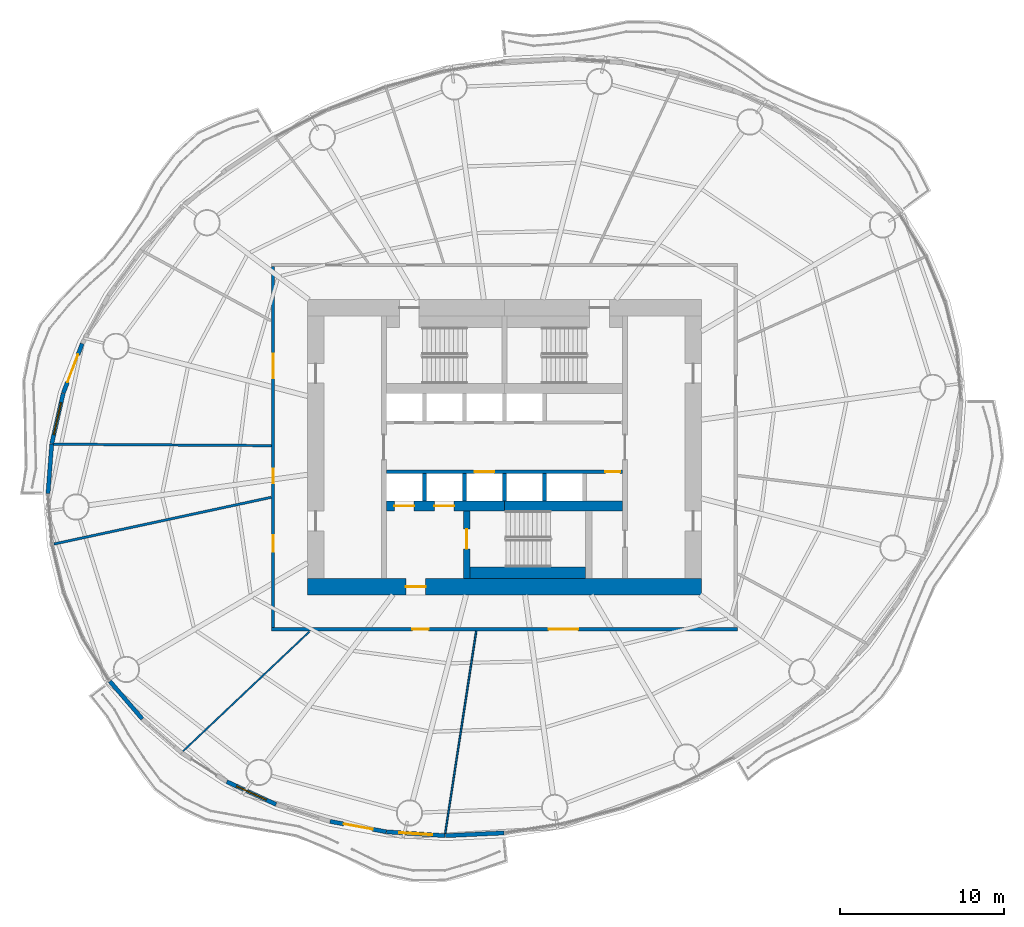
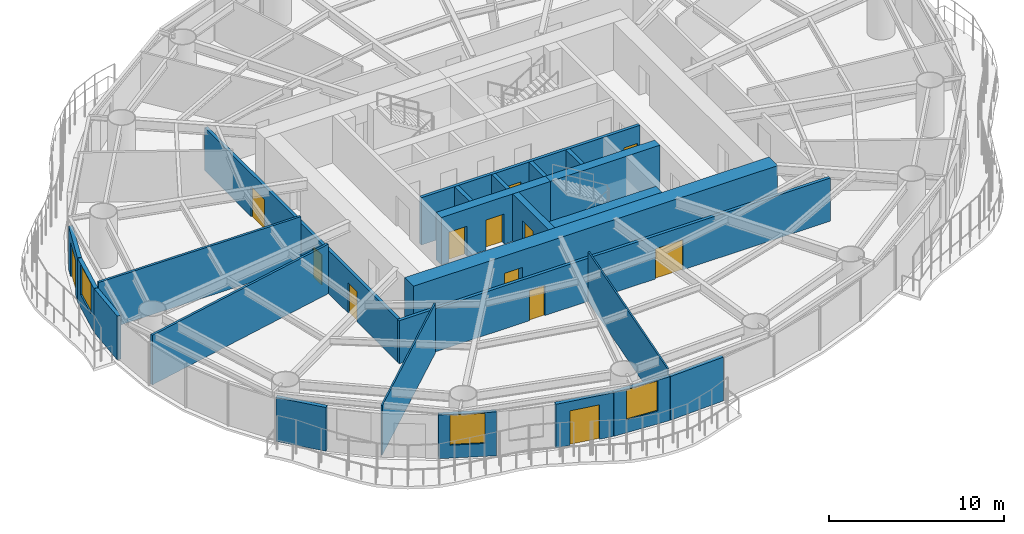
# One storey, part 7 of 14: 24 walls, 13 doors, 3 windows, 16 openings.
"""IFC4 building model written with IfcOpenShell, lengths in metres."""

import ifcopenshell
import ifcopenshell.guid

model = None  # the IFC model being written
_history = None  # IfcOwnerHistory: only IFC2X3 demands one
_inside = {}  # id of a spatial element -> (the spatial element, [elements in it])
_under = {}  # id of a project, library or spatial element -> (it, [spatial elements below it])
_declared = {}  # id of a project -> (the project, [libraries it declares])
_typed = {}  # id of a type object -> (the type object, [elements of that type])
_made_of = {}  # id of a material, layer set ... -> (it, [elements and type objects made of it])


def new_model(schema):
    """Start an empty IFC model of exactly this schema.

    Asked for "IFC4X3", IfcOpenShell would pick the latest addendum, in which some entities
    have other attributes; the version numbers below select the first issue.
    IFC2X3 requires an IfcOwnerHistory on every rooted entity: one is made here for all.
    """
    global model, _history
    if schema == "IFC4X3":
        model = ifcopenshell.file(schema_version=(4, 3, 0, 0))
    else:
        model = ifcopenshell.file(schema=schema)
    _inside.clear()
    _under.clear()
    _declared.clear()
    _typed.clear()
    _made_of.clear()
    _history = None
    if model.schema == "IFC2X3":
        org = make("IfcOrganization", Name="unknown")
        user = make(
            "IfcPersonAndOrganization",
            ThePerson=make("IfcPerson", FamilyName="unknown"),
            TheOrganization=org,
        )
        app = make(
            "IfcApplication",
            ApplicationDeveloper=org,
            Version="unknown",
            ApplicationFullName="unknown",
            ApplicationIdentifier="unknown",
        )
        _history = make(
            "IfcOwnerHistory",
            OwningUser=user,
            OwningApplication=app,
            ChangeAction="ADDED",
            CreationDate=0,
        )
    return model


def make(cls, **values):
    """One entity of the class cls with the attributes given. An attribute that is None is left unset."""
    return model.create_entity(
        cls, **{name: value for name, value in values.items() if value is not None}
    )


def rooted(cls, **values):
    """An entity with a GlobalId (a new one), such as an element, a storey or a relation."""
    return make(cls, GlobalId=ifcopenshell.guid.new(), OwnerHistory=_history, **values)


def si_unit(unit_type, name, prefix=None):
    """IfcSIUnit, for example si_unit("LENGTHUNIT", "METRE", prefix="MILLI")."""
    return make("IfcSIUnit", UnitType=unit_type, Prefix=prefix, Name=name)


def assignment(units):
    """IfcUnitAssignment: the units of a project."""
    return None if units is None else make("IfcUnitAssignment", Units=units)


def point(xyz):
    """IfcCartesianPoint."""
    return None if xyz is None else make("IfcCartesianPoint", Coordinates=xyz)


def direction(xyz):
    """IfcDirection."""
    return None if xyz is None else make("IfcDirection", DirectionRatios=xyz)


def frame(location, z_axis=None, x_axis=None):
    """IfcAxis2Placement3D, a coordinate frame: its origin and axes. An axis left out is left unset."""
    return make(
        "IfcAxis2Placement3D",
        Location=point(location),
        Axis=direction(z_axis),
        RefDirection=direction(x_axis),
    )


def frame_2d(location, x_axis=None):
    """IfcAxis2Placement2D, a coordinate frame in the plane: its origin and x axis."""
    return make(
        "IfcAxis2Placement2D", Location=point(location), RefDirection=direction(x_axis)
    )


def origin():
    """The frame at (0, 0, 0) with its axes left unset."""
    return frame((0.0, 0.0, 0.0))


def place(relative_to, where):
    """IfcLocalPlacement: puts the frame where relative to a parent placement (None: the world)."""
    return make(
        "IfcLocalPlacement", PlacementRelTo=relative_to, RelativePlacement=where
    )


def context(
    kind, dimensions, precision=None, world=None, true_north=None, identifier=None
):
    """IfcGeometricRepresentationContext, for example the 3D "Model" context."""
    return make(
        "IfcGeometricRepresentationContext",
        ContextIdentifier=identifier,
        ContextType=kind,
        CoordinateSpaceDimension=dimensions,
        Precision=precision,
        WorldCoordinateSystem=world,
        TrueNorth=true_north,
    )


def subcontext(parent, identifier, kind, view, scale=None):
    """IfcGeometricRepresentationSubContext, for example "Body" below "Model"."""
    return make(
        "IfcGeometricRepresentationSubContext",
        ContextIdentifier=identifier,
        ContextType=kind,
        ParentContext=parent,
        TargetScale=scale,
        TargetView=view,
    )


def project(units=None, contexts=None):
    """IfcProject with its units and contexts."""
    return rooted(
        "IfcProject",
        Name="project",
        RepresentationContexts=contexts,
        UnitsInContext=assignment(units),
    )


def spatial(cls, under=None, at=None, **own):
    """A site, building, storey or space (cls), placed at a placement, below another one or the project."""
    s = rooted(cls, ObjectPlacement=at, **own)
    if under is not None:
        _under.setdefault(under.id(), (under, []))[1].append(s)
    return s


def profile(cls, at=None, kind="AREA", **sizes):
    """A parametric profile (cls). Its sizes go by their IFC names, for example OverallWidth=200.0."""
    return make(cls, ProfileType=kind, Position=at, **sizes)


def rectangle(**sizes):
    """IfcRectangleProfileDef."""
    return profile("IfcRectangleProfileDef", **sizes)


def extrude(swept, where, along, depth):
    """IfcExtrudedAreaSolid: the profile swept, set in the frame where, extruded along a direction by depth."""
    return make(
        "IfcExtrudedAreaSolid",
        SweptArea=swept,
        Position=where,
        ExtrudedDirection=direction(along),
        Depth=depth,
    )


def shape(context_of_items, identifier, shape_type, items):
    """IfcShapeRepresentation: the items that make up one representation, for example the "Body"."""
    return make(
        "IfcShapeRepresentation",
        ContextOfItems=context_of_items,
        RepresentationIdentifier=identifier,
        RepresentationType=shape_type,
        Items=items,
    )


def material(Name=None, Category=None):
    """IfcMaterial."""
    return make("IfcMaterial", Name=Name, Category=Category)


def layer(
    of_material, thickness, ventilated=None, Name=None, Category=None, Priority=None
):
    """IfcMaterialLayer: one layer of a wall or slab, of a material (None: an air gap)."""
    return make(
        "IfcMaterialLayer",
        Material=of_material,
        LayerThickness=thickness,
        IsVentilated=ventilated,
        Name=Name,
        Category=Category,
        Priority=Priority,
    )


def layer_set(layers, Name=None):
    """IfcMaterialLayerSet."""
    return make("IfcMaterialLayerSet", MaterialLayers=layers, LayerSetName=Name)


def made_of(thing, what):
    """Note that an element or type object is made of a material, layer set ...; save() writes the relation."""
    if what is not None:
        _made_of.setdefault(what.id(), (what, []))[1].append(thing)
    return thing


def type_object(cls, material=None, **own):
    """A type object (cls), such as IfcWallType, which elements share."""
    return made_of(rooted(cls, **own), material)


def element(
    cls,
    number,
    at=None,
    inside=None,
    cuts=None,
    type_object=None,
    material=None,
    context=None,
    identifier="Body",
    shape_type=None,
    held_by="IfcProductDefinitionShape",
    body=None,
    shapes=None,
    **own,
):
    """One element of the class cls, such as IfcWall. Its Tag is "e" and its number.

    at: its placement. inside: the storey or other place that contains it. cuts: it is an
    opening in that element (IfcRelVoidsElement). A single representation is given by context,
    identifier, shape_type and body (its items); several are given by shapes. held_by: the class
    of the entity that holds the representations. save() writes the other relations.
    """
    e = rooted(cls, Tag="e%d" % number, ObjectPlacement=at, **own)
    if body is not None:
        shapes = [shape(context, identifier, shape_type, body)]
    if shapes is not None:
        e.Representation = make(held_by, Representations=shapes)
    if inside is not None:
        _inside.setdefault(inside.id(), (inside, []))[1].append(e)
    if cuts is not None:
        rooted(
            "IfcRelVoidsElement", RelatingBuildingElement=cuts, RelatedOpeningElement=e
        )
    if type_object is not None:
        _typed.setdefault(type_object.id(), (type_object, []))[1].append(e)
    return made_of(e, material)


def fill(opening, filler):
    """IfcRelFillsElement: the door or window that sits in an opening."""
    return rooted(
        "IfcRelFillsElement",
        RelatingOpeningElement=opening,
        RelatedBuildingElement=filler,
    )


def aggregate(whole, parts):
    """IfcRelAggregates: a whole, such as a stair, and the parts it consists of."""
    return rooted("IfcRelAggregates", RelatingObject=whole, RelatedObjects=parts)


def save(model, path):
    """Write the relations noted so far, then the file.

    IfcRelAggregates (storeys below a building ...), IfcRelContainedInSpatialStructure (elements
    in a storey), IfcRelDefinesByType, IfcRelAssociatesMaterial and IfcRelDeclares: one each for
    every whole, place, type object, material and project.
    """
    for whole, parts in _under.values():
        aggregate(whole, parts)
    for where, things in _inside.values():
        rooted(
            "IfcRelContainedInSpatialStructure",
            RelatedElements=things,
            RelatingStructure=where,
        )
    for kind, things in _typed.values():
        rooted("IfcRelDefinesByType", RelatedObjects=things, RelatingType=kind)
    for what, things in _made_of.values():
        rooted("IfcRelAssociatesMaterial", RelatedObjects=things, RelatingMaterial=what)
    for by, libraries in _declared.values():
        rooted("IfcRelDeclares", RelatingContext=by, RelatedDefinitions=libraries)
    model.write(path)


model = new_model("IFC4")

# Units and contexts
model_context = context("Model", 3, precision=1e-05, world=origin(), true_north=direction((0.0, 1.0)))
body_context = subcontext(model_context, "Body", "Model", "MODEL_VIEW")
ifc_project = project(units=[si_unit("LENGTHUNIT", "METRE"), si_unit("AREAUNIT", "SQUARE_METRE"), si_unit("VOLUMEUNIT", "CUBIC_METRE"), si_unit("PLANEANGLEUNIT", "RADIAN"), si_unit("MASSUNIT", "GRAM", prefix="KILO")], contexts=[model_context])

# Site, building, storey
site_placement = place(None, origin())
site = spatial("IfcSite", under=ifc_project, at=site_placement, CompositionType="ELEMENT")
building_placement = place(site_placement, origin())
building = spatial("IfcBuilding", under=site, at=building_placement, Name="Vermilion Reach Broadcast Tower", CompositionType="ELEMENT")
storey_placement = place(building_placement, frame((0.0, 0.0, 106.60009765625)))
storey = spatial("IfcBuildingStorey", under=building, at=storey_placement, Name="L24", CompositionType="ELEMENT", Elevation=106.60009765625)

# Wall, opening, door
ifc_material_1 = material(Name="Concrete C70", Category="concrete")
ifc_layer_1 = layer(ifc_material_1, 0.39990234375)
ifc_layer_set_1 = layer_set([ifc_layer_1], Name="Core inner wall 400 mm Concrete C70")
wall_type_1 = type_object("IfcWallType", Name="Core inner wall 400 mm Concrete C70", PredefinedType="SHEAR", material=ifc_layer_set_1)
wall_1_placement = place(storey_placement, frame((-8.300048828125, -3.8798828125, 0.0), z_axis=(0.0, 0.0, 1.0), x_axis=(0.0, -1.0, 0.0)))
wall_1 = element("IfcWall", 1, at=wall_1_placement, inside=storey, type_object=wall_type_1, Name="L24 core wall wa", PredefinedType="SHEAR", context=body_context, shape_type="SweptSolid", body=[
    extrude(rectangle(XDim=4.1201171875, YDim=0.39990234375, at=frame_2d((2.06005859375, 0.0))), origin(), (0.0, 0.0, 1.0), 3.2998046875),
])
opening_1_placement = place(wall_1_placement, frame((1.110107421875, 0.0, 0.0)))
opening_1 = element("IfcOpeningElement", 2, at=opening_1_placement, cuts=wall_1, Name="Opening D01", PredefinedType="OPENING", context=body_context, shape_type="SweptSolid", body=[
    extrude(rectangle(XDim=1.199951171875, YDim=2.10009765625, at=frame_2d((0.60009765625, 1.050048828125))), frame((0.0, 0.2099609375, 0.0), z_axis=(0.0, -1.0, 0.0), x_axis=(1.0, 0.0, 0.0)), (0.0, 0.0, 1.0), 0.419921875),
])
ifc_material_2 = material(Name="Painted steel fire door", Category="steel")
door_type_1 = type_object("IfcDoorType", Name="Stair door 1200 x 2100", OperationType="DOUBLE_DOOR_SINGLE_SWING", PredefinedType="NOTDEFINED", material=ifc_material_2)
door_1_placement = place(opening_1_placement, origin())
door_1 = element("IfcDoor", 3, at=door_1_placement, inside=storey, type_object=door_type_1, Name="L24 stair door ST3", OperationType="DOUBLE_DOOR_SINGLE_SWING", OverallHeight=2.10009765625, OverallWidth=1.199951171875, PredefinedType="NOTDEFINED", context=body_context, shape_type="SweptSolid", body=[
    extrude(rectangle(XDim=1.199951171875, YDim=2.10009765625, at=frame_2d((0.60009765625, 1.050048828125))), frame((0.0, 0.02490234375, 0.0), z_axis=(0.0, -1.0, 0.0), x_axis=(1.0, 0.0, 0.0)), (0.0, 0.0, 1.0), 0.050048828125),
])
fill(opening_1, door_1)

# Wall, openings, doors
ifc_material_3 = material(Name="Concrete C70", Category="concrete")
ifc_layer_2 = layer(ifc_material_3, 0.60009765625)
ifc_layer_set_2 = layer_set([ifc_layer_2], Name="Core inner wall 600 mm Concrete C70")
wall_type_2 = type_object("IfcWallType", Name="Core inner wall 600 mm Concrete C70", PredefinedType="SHEAR", material=ifc_layer_set_2)
wall_2_placement = place(storey_placement, frame((-13.199951171875, -3.580078125, 0.0), z_axis=(0.0, 0.0, 1.0), x_axis=(1.0, 0.0, 0.0)))
wall_2 = element("IfcWall", 4, at=wall_2_placement, inside=storey, type_object=wall_type_2, Name="L24 core wall wisW", PredefinedType="SHEAR", context=body_context, shape_type="SweptSolid", body=[
    extrude(rectangle(XDim=7.199951171875, YDim=0.60009765625, at=frame_2d((3.60009765625, 0.0))), origin(), (0.0, 0.0, 1.0), 3.2998046875),
])
opening_2_placement = place(wall_2_placement, frame((0.495849609375, 0.0, 0.0)))
opening_2 = element("IfcOpeningElement", 5, at=opening_2_placement, cuts=wall_2, Name="Opening LD1", PredefinedType="OPENING", context=body_context, shape_type="SweptSolid", body=[
    extrude(rectangle(XDim=1.199951171875, YDim=2.10009765625, at=frame_2d((0.60009765625, 1.050048828125))), frame((0.0, 0.31005859375, 0.0), z_axis=(0.0, -1.0, 0.0), x_axis=(1.0, 0.0, 0.0)), (0.0, 0.0, 1.0), 0.6201171875),
])
opening_3_placement = place(wall_2_placement, frame((2.9375, 0.0, 0.0)))
opening_3 = element("IfcOpeningElement", 6, at=opening_3_placement, cuts=wall_2, Name="Opening LD1", PredefinedType="OPENING", context=body_context, shape_type="SweptSolid", body=[
    extrude(rectangle(XDim=1.199951171875, YDim=2.10009765625, at=frame_2d((0.60009765625, 1.050048828125))), frame((0.0, 0.31005859375, 0.0), z_axis=(0.0, -1.0, 0.0), x_axis=(1.0, 0.0, 0.0)), (0.0, 0.0, 1.0), 0.6201171875),
])
ifc_material_4 = material(Name="Stainless steel", Category="steel")
door_type_2 = type_object("IfcDoorType", Name="Landing door 1200 x 2100", OperationType="DOUBLE_DOOR_SLIDING", PredefinedType="NOTDEFINED", material=ifc_material_4)
door_2_placement = place(opening_2_placement, origin())
door_2 = element("IfcDoor", 7, at=door_2_placement, inside=storey, type_object=door_type_2, Name="L24 landing door FF1", OperationType="DOUBLE_DOOR_SLIDING", OverallHeight=2.10009765625, OverallWidth=1.199951171875, PredefinedType="NOTDEFINED", context=body_context, shape_type="SweptSolid", body=[
    extrude(rectangle(XDim=1.199951171875, YDim=2.10009765625, at=frame_2d((0.60009765625, 1.050048828125))), frame((0.0, 0.02490234375, 0.0), z_axis=(0.0, -1.0, 0.0), x_axis=(1.0, 0.0, 0.0)), (0.0, 0.0, 1.0), 0.050048828125),
])
fill(opening_2, door_2)
door_3_placement = place(opening_3_placement, origin())
door_3 = element("IfcDoor", 8, at=door_3_placement, inside=storey, type_object=door_type_2, Name="L24 landing door FF2", OperationType="DOUBLE_DOOR_SLIDING", OverallHeight=2.10009765625, OverallWidth=1.199951171875, PredefinedType="NOTDEFINED", context=body_context, shape_type="SweptSolid", body=[
    extrude(rectangle(XDim=1.199951171875, YDim=2.10009765625, at=frame_2d((0.60009765625, 1.050048828125))), frame((0.0, 0.02490234375, 0.0), z_axis=(0.0, -1.0, 0.0), x_axis=(1.0, 0.0, 0.0)), (0.0, 0.0, 1.0), 0.050048828125),
])
fill(opening_3, door_3)

# Wall
wall_3_placement = place(storey_placement, frame((-6.0, -3.580078125, 0.0), z_axis=(0.0, 0.0, 1.0), x_axis=(1.0, 0.0, 0.0)))
element("IfcWall", 9, at=wall_3_placement, inside=storey, type_object=wall_type_2, Name="L24 core wall wisE", PredefinedType="SHEAR", context=body_context, shape_type="SweptSolid", body=[
    extrude(rectangle(XDim=7.199951171875, YDim=0.60009765625, at=frame_2d((3.60009765625, 0.0))), origin(), (0.0, 0.0, 1.0), 3.2998046875),
])

# Wall, opening, door
ifc_material_5 = material(Name="Concrete C70", Category="concrete")
ifc_layer_3 = layer(ifc_material_5, 1.0)
ifc_layer_set_3 = layer_set([ifc_layer_3], Name="Core outer wall 1000 mm Concrete C70")
wall_type_3 = type_object("IfcWallType", Name="Core outer wall 1000 mm Concrete C70", PredefinedType="SHEAR", material=ifc_layer_set_3)
wall_4_placement = place(storey_placement, frame((-18.0, -8.5, 0.0), z_axis=(0.0, 0.0, 1.0), x_axis=(1.0, 0.0, 0.0)))
wall_4 = element("IfcWall", 10, at=wall_4_placement, inside=storey, type_object=wall_type_3, Name="L24 core wall os", PredefinedType="SHEAR", context=body_context, shape_type="SweptSolid", body=[
    extrude(rectangle(XDim=24.0, YDim=1.0, at=frame_2d((12.0, 0.0))), origin(), (0.0, 0.0, 1.0), 3.2998046875),
])
opening_4_placement = place(wall_4_placement, frame((6.0, 0.0, 0.0)))
opening_4 = element("IfcOpeningElement", 11, at=opening_4_placement, cuts=wall_4, Name="Opening D02", PredefinedType="OPENING", context=body_context, shape_type="SweptSolid", body=[
    extrude(rectangle(XDim=1.199951171875, YDim=2.10009765625, at=frame_2d((0.60009765625, 1.050048828125))), frame((0.0, 0.510009765625, 0.0), z_axis=(0.0, -1.0, 0.0), x_axis=(1.0, 0.0, 0.0)), (0.0, 0.0, 1.0), 1.02001953125),
])
ifc_material_6 = material(Name="Painted steel fire door", Category="steel")
door_type_3 = type_object("IfcDoorType", Name="Firefighting lobby door 1200 x 2100", OperationType="DOUBLE_DOOR_SINGLE_SWING", PredefinedType="NOTDEFINED", material=ifc_material_6)
door_4_placement = place(opening_4_placement, origin())
door_4 = element("IfcDoor", 12, at=door_4_placement, inside=storey, type_object=door_type_3, Name="L24 ffdoor door FFL", OperationType="DOUBLE_DOOR_SINGLE_SWING", OverallHeight=2.10009765625, OverallWidth=1.199951171875, PredefinedType="NOTDEFINED", context=body_context, shape_type="SweptSolid", body=[
    extrude(rectangle(XDim=1.199951171875, YDim=2.10009765625, at=frame_2d((0.60009765625, 1.050048828125))), frame((0.0, 0.02490234375, 0.0), z_axis=(0.0, -1.0, 0.0), x_axis=(1.0, 0.0, 0.0)), (0.0, 0.0, 1.0), 0.050048828125),
])
fill(opening_4, door_4)

# Wall, openings, doors
ifc_material_7 = material(Name="Concrete C50", Category="concrete")
ifc_layer_4 = layer(ifc_material_7, 0.199951171875)
ifc_layer_set_4 = layer_set([ifc_layer_4], Name="Core shaft wall 200 mm Concrete C50")
wall_type_4 = type_object("IfcWallType", Name="Core shaft wall 200 mm Concrete C50", PredefinedType="SHEAR", material=ifc_layer_set_4)
wall_5_placement = place(storey_placement, frame((1.199951171875, -1.5, 0.0), z_axis=(0.0, 0.0, 1.0), x_axis=(-1.0, 0.0, 0.0)))
wall_5 = element("IfcWall", 13, at=wall_5_placement, inside=storey, type_object=wall_type_4, Name="L24 core wall fs", PredefinedType="SHEAR", context=body_context, shape_type="SweptSolid", body=[
    extrude(rectangle(XDim=14.39990234375, YDim=0.199951171875, at=frame_2d((7.199951171875, 0.0))), origin(), (0.0, 0.0, 1.0), 3.2998046875),
])
opening_5_placement = place(wall_5_placement, frame((7.82080078125, 0.0, 0.0)))
opening_5 = element("IfcOpeningElement", 14, at=opening_5_placement, cuts=wall_5, Name="Opening LD1", PredefinedType="OPENING", context=body_context, shape_type="SweptSolid", body=[
    extrude(rectangle(XDim=1.199951171875, YDim=2.10009765625, at=frame_2d((0.60009765625, 1.050048828125))), frame((0.0, 0.10986328125, 0.0), z_axis=(0.0, -1.0, 0.0), x_axis=(1.0, 0.0, 0.0)), (0.0, 0.0, 1.0), 0.219970703125),
])
opening_6_placement = place(wall_5_placement, frame((0.14990234375, 0.0, 0.0)))
opening_6 = element("IfcOpeningElement", 15, at=opening_6_placement, cuts=wall_5, Name="Opening D06", PredefinedType="OPENING", context=body_context, shape_type="SweptSolid", body=[
    extrude(rectangle(XDim=0.89990234375, YDim=2.10009765625, at=frame_2d((0.449951171875, 1.050048828125))), frame((0.0, 0.10986328125, 0.0), z_axis=(0.0, -1.0, 0.0), x_axis=(1.0, 0.0, 0.0)), (0.0, 0.0, 1.0), 0.219970703125),
])
door_5_placement = place(opening_5_placement, origin())
door_5 = element("IfcDoor", 16, at=door_5_placement, inside=storey, type_object=door_type_2, Name="L24 landing door SV1", OperationType="DOUBLE_DOOR_SLIDING", OverallHeight=2.10009765625, OverallWidth=1.199951171875, PredefinedType="NOTDEFINED", context=body_context, shape_type="SweptSolid", body=[
    extrude(rectangle(XDim=1.199951171875, YDim=2.10009765625, at=frame_2d((0.60009765625, 1.050048828125))), frame((0.0, 0.02490234375, 0.0), z_axis=(0.0, -1.0, 0.0), x_axis=(1.0, 0.0, 0.0)), (0.0, 0.0, 1.0), 0.050048828125),
])
fill(opening_5, door_5)
ifc_material_8 = material(Name="Timber door", Category="wood")
door_type_4 = type_object("IfcDoorType", Name="WC door 900 x 2100", OperationType="NOTDEFINED", PredefinedType="NOTDEFINED", material=ifc_material_8)
door_6_placement = place(opening_6_placement, origin())
door_6 = element("IfcDoor", 17, at=door_6_placement, inside=storey, type_object=door_type_4, Name="L24 door Male WC", OperationType="SINGLE_SWING_LEFT", OverallHeight=2.10009765625, OverallWidth=0.89990234375, PredefinedType="NOTDEFINED", context=body_context, shape_type="SweptSolid", body=[
    extrude(rectangle(XDim=0.89990234375, YDim=2.10009765625, at=frame_2d((0.449951171875, 1.050048828125))), frame((0.0, 0.02490234375, 0.0), z_axis=(0.0, -1.0, 0.0), x_axis=(1.0, 0.0, 0.0)), (0.0, 0.0, 1.0), 0.050048828125),
])
fill(opening_6, door_6)

# Walls
ifc_material_9 = material(Name="Concrete C50", Category="concrete")
ifc_layer_5 = layer(ifc_material_9, 0.25)
ifc_layer_set_5 = layer_set([ifc_layer_5], Name="Core shaft wall 250 mm Concrete C50")
wall_type_5 = type_object("IfcWallType", Name="Core shaft wall 250 mm Concrete C50", PredefinedType="SHEAR", material=ifc_layer_set_5)
for number, where, z_axis, x_axis, name in (
    (18, (-10.88330078125, -1.60009765625, 0.0), (0.0, 0.0, 1.0), (0.0, -1.0, 0.0), "L24 core wall psS0"),
    (19, (-8.441650390625, -1.60009765625, 0.0), (0.0, 0.0, 1.0), (0.0, -1.0, 0.0), "L24 core wall psS1"),
    (20, (-6.0, -1.60009765625, 0.0), (0.0, 0.0, 1.0), (0.0, -1.0, 0.0), "L24 core wall psS2"),
    (21, (-3.558349609375, -1.60009765625, 0.0), (0.0, 0.0, 1.0), (0.0, -1.0, 0.0), "L24 core wall psS3"),
):
    element("IfcWall", number, at=place(storey_placement, frame(where, z_axis=z_axis, x_axis=x_axis)), inside=storey, type_object=wall_type_5, Name=name, PredefinedType="SHEAR", context=body_context, shape_type="SweptSolid", body=[
        extrude(rectangle(XDim=1.679931640625, YDim=0.25, at=frame_2d((0.83984375, 0.0))), origin(), (0.0, 0.0, 1.0), 3.2998046875),
    ])
ifc_material_10 = material(Name="Concrete C70", Category="concrete")
ifc_layer_6 = layer(ifc_material_10, 0.699951171875)
ifc_layer_set_6 = layer_set([ifc_layer_6], Name="Core stair wall 700 mm Concrete C70")
wall_type_6 = type_object("IfcWallType", Name="Core stair wall 700 mm Concrete C70", PredefinedType="SHEAR", material=ifc_layer_set_6)
wall_6_placement = place(storey_placement, frame((-8.10009765625, -7.64990234375, 0.0), z_axis=(0.0, 0.0, 1.0), x_axis=(1.0, 0.0, 0.0)))
element("IfcWall", 22, at=wall_6_placement, inside=storey, type_object=wall_type_6, Name="L24 core wall l3", PredefinedType="SHEAR", context=body_context, shape_type="SweptSolid", body=[
    extrude(rectangle(XDim=7.050048828125, YDim=0.699951171875, at=frame_2d((3.52490234375, 0.0))), origin(), (0.0, 0.0, 1.0), 3.2998046875),
])
ifc_material_11 = material(Name="Plasterboard on steel stud", Category="steel")
ifc_layer_7 = layer(ifc_material_11, 0.10009765625)
ifc_layer_set_7 = layer_set([ifc_layer_7], Name="Partition 100 steel stud")
wall_type_7 = type_object("IfcWallType", Name="Partition 100 steel stud", PredefinedType="PARTITIONING", material=ifc_layer_set_7)
wall_7_placement = place(storey_placement, frame((-25.593505859375, -18.53173828125, 0.0), z_axis=(0.0, 0.0, 1.0), x_axis=(0.7265168172, 0.687148684293, 0.0)))
element("IfcWall", 23, at=wall_7_placement, inside=storey, type_object=wall_type_7, Name="Partition 24.08", PredefinedType="PARTITIONING", context=body_context, shape_type="SweptSolid", body=[
    extrude(rectangle(XDim=10.616943359375, YDim=0.10009765625, at=frame_2d((5.30859375, 0.0))), origin(), (0.0, 0.0, 1.0), 3.449951171875),
])
wall_8_placement = place(storey_placement, frame((-9.6123046875, -23.553955078125, 0.0), z_axis=(0.0, 0.0, 1.0), x_axis=(0.15159598099, 0.988442541855, 0.0)))
element("IfcWall", 24, at=wall_8_placement, inside=storey, type_object=wall_type_7, Name="Partition 24.09", PredefinedType="PARTITIONING", context=body_context, shape_type="SweptSolid", body=[
    extrude(rectangle(XDim=12.49072265625, YDim=0.10009765625, at=frame_2d((6.245361328125, 0.0))), origin(), (0.0, 0.0, 1.0), 3.449951171875),
])
ifc_material_12 = material(Name="Lightweight concrete block, plastered", Category="concrete")
ifc_layer_8 = layer(ifc_material_12, 0.14990234375)
ifc_layer_set_8 = layer_set([ifc_layer_8], Name="Partition 150 lightweight block")
wall_type_8 = type_object("IfcWallType", Name="Partition 150 lightweight block", PredefinedType="PARTITIONING", material=ifc_layer_set_8)
wall_9_placement = place(storey_placement, frame((-33.469482421875, 0.18408203125, 0.0), z_axis=(0.0, 0.0, 1.0), x_axis=(0.999977573626, -0.00669718191, 0.0)))
element("IfcWall", 25, at=wall_9_placement, inside=storey, type_object=wall_type_8, Name="Partition 24.06", PredefinedType="PARTITIONING", context=body_context, shape_type="SweptSolid", body=[
    extrude(rectangle(XDim=13.269287109375, YDim=0.14990234375, at=frame_2d((6.634765625, 0.0))), origin(), (0.0, 0.0, 1.0), 3.449951171875),
])
wall_10_placement = place(storey_placement, frame((-33.45556640625, -5.89990234375, 0.0), z_axis=(0.0, 0.0, 1.0), x_axis=(0.977679300962, 0.21010279501, 0.0)))
element("IfcWall", 26, at=wall_10_placement, inside=storey, type_object=wall_type_8, Name="Partition 24.07", PredefinedType="PARTITIONING", context=body_context, shape_type="SweptSolid", body=[
    extrude(rectangle(XDim=13.5419921875, YDim=0.14990234375, at=frame_2d((6.77099609375, 0.0))), origin(), (0.0, 0.0, 1.0), 3.449951171875),
])

# Wall, opening, door
ifc_material_13 = material(Name="Terracotta rainscreen cladding", Category="masonry")
ifc_layer_9 = layer(ifc_material_13, 0.25)
ifc_layer_set_9 = layer_set([ifc_layer_9], Name="Terracotta rainscreen wall 250")
wall_type_9 = type_object("IfcWallType", Name="Terracotta rainscreen wall 250", PredefinedType="SOLIDWALL", material=ifc_layer_set_9)
wall_11_placement = place(storey_placement, frame((-31.735595703125, 6.307373046875, 0.0), z_axis=(0.0, 0.0, 1.0), x_axis=(-0.357678213507, -0.933844899104, 0.0)))
wall_11 = element("IfcWall", 27, at=wall_11_placement, inside=storey, type_object=wall_type_9, Name="External wall L24 19", PredefinedType="SOLIDWALL", context=body_context, shape_type="SweptSolid", body=[
    extrude(rectangle(XDim=3.220458984375, YDim=0.25, at=frame_2d((1.6103515625, 0.0))), origin(), (0.0, 0.0, 1.0), 3.0498046875),
])
opening_7_placement = place(wall_11_placement, frame((0.7099609375, 0.0, 0.0)))
opening_7 = element("IfcOpeningElement", 28, at=opening_7_placement, cuts=wall_11, Name="Opening D70", PredefinedType="OPENING", context=body_context, shape_type="SweptSolid", body=[
    extrude(rectangle(XDim=1.800048828125, YDim=2.39990234375, at=frame_2d((0.89990234375, 1.199951171875))), frame((0.0, 0.135009765625, 0.0), z_axis=(0.0, -1.0, 0.0), x_axis=(1.0, 0.0, 0.0)), (0.0, 0.0, 1.0), 0.27001953125),
])
ifc_material_14 = material(Name="Low-e laminated clear glass in aluminium frame", Category="aluminium")
door_type_5 = type_object("IfcDoorType", Name="Balcony sliding door 1800 x 2400", OperationType="DOUBLE_DOOR_SLIDING", PredefinedType="DOOR", material=ifc_material_14)
door_7_placement = place(opening_7_placement, origin())
door_7 = element("IfcDoor", 29, at=door_7_placement, inside=storey, type_object=door_type_5, Name="Balcony door L24 run 05", OperationType="DOUBLE_DOOR_SLIDING", OverallHeight=2.39990234375, OverallWidth=1.800048828125, PredefinedType="DOOR", context=body_context, shape_type="SweptSolid", body=[
    extrude(rectangle(XDim=1.800048828125, YDim=2.39990234375, at=frame_2d((0.89990234375, 1.199951171875))), frame((0.0, 0.02490234375, 0.0), z_axis=(0.0, -1.0, 0.0), x_axis=(1.0, 0.0, 0.0)), (0.0, 0.0, 1.0), 0.050048828125),
])
fill(opening_7, door_7)

# Wall, opening, window
wall_12_placement = place(storey_placement, frame((-32.89501953125, 3.275390625, 0.0), z_axis=(0.0, 0.0, 1.0), x_axis=(-0.221533658601, -0.975152725529, 0.0)))
wall_12 = element("IfcWall", 30, at=wall_12_placement, inside=storey, type_object=wall_type_9, Name="External wall L24 20", PredefinedType="SOLIDWALL", context=body_context, shape_type="SweptSolid", body=[
    extrude(rectangle(XDim=3.137451171875, YDim=0.25, at=frame_2d((1.56884765625, 0.0))), origin(), (0.0, 0.0, 1.0), 3.0498046875),
])
opening_8_placement = place(wall_12_placement, frame((0.56884765625, 0.0, 0.89990234375)))
opening_8 = element("IfcOpeningElement", 31, at=opening_8_placement, cuts=wall_12, Name="Opening W03", PredefinedType="OPENING", context=body_context, shape_type="SweptSolid", body=[
    extrude(rectangle(XDim=2.0, YDim=2.10009765625, at=frame_2d((1.0, 1.050048828125))), frame((0.0, 0.135009765625, 0.0), z_axis=(0.0, -1.0, 0.0), x_axis=(1.0, 0.0, 0.0)), (0.0, 0.0, 1.0), 0.27001953125),
])
ifc_material_15 = material(Name="Low-e laminated clear glass in aluminium frame", Category="aluminium")
window_type = type_object("IfcWindowType", Name="Punched window 2000 x 2100 sill 900", PartitioningType="SINGLE_PANEL", PredefinedType="WINDOW", material=ifc_material_15)
window_1_placement = place(opening_8_placement, origin())
window_1 = element("IfcWindow", 32, at=window_1_placement, inside=storey, type_object=window_type, Name="Window L24 20", OverallHeight=2.10009765625, OverallWidth=2.0, PartitioningType="SINGLE_PANEL", PredefinedType="WINDOW", context=body_context, shape_type="SweptSolid", body=[
    extrude(rectangle(XDim=2.0, YDim=2.10009765625, at=frame_2d((1.0, 1.050048828125))), frame((0.0, 0.030029296875, 0.0), z_axis=(0.0, -1.0, 0.0), x_axis=(1.0, 0.0, 0.0)), (0.0, 0.0, 1.0), 0.06005859375),
])
fill(opening_8, window_1)

# Walls
for number, where, z_axis, x_axis, name in (
    (33, (-33.593994140625, 0.189453125, 0.0), (0.0, 0.0, 1.0), (-0.074290620375, -0.997236633766, 0.0), "External wall L24 21"),
    (34, (-30.050048828125, -14.264892578125, 0.0), (0.0, 0.0, 1.0), (0.652642781227, -0.757665757516, 0.0), "External wall L24 26"),
):
    element("IfcWall", number, at=place(storey_placement, frame(where, z_axis=z_axis, x_axis=x_axis)), inside=storey, type_object=wall_type_9, Name=name, PredefinedType="SOLIDWALL", context=body_context, shape_type="SweptSolid", body=[
        extrude(rectangle(XDim=3.026611328125, YDim=0.25, at=frame_2d((1.51318359375, 0.0))), origin(), (0.0, 0.0, 1.0), 3.0498046875),
    ])

# Wall, opening, window
wall_13_placement = place(storey_placement, frame((-22.92138671875, -20.384521484375, 0.0), z_axis=(0.0, 0.0, 1.0), x_axis=(0.907654786829, -0.419717509697, 0.0)))
wall_13 = element("IfcWall", 35, at=wall_13_placement, inside=storey, type_object=wall_type_9, Name="External wall L24 29", PredefinedType="SOLIDWALL", context=body_context, shape_type="SweptSolid", body=[
    extrude(rectangle(XDim=3.310302734375, YDim=0.25, at=frame_2d((1.6552734375, 0.0))), origin(), (0.0, 0.0, 1.0), 3.0498046875),
])
opening_9_placement = place(wall_13_placement, frame((0.6552734375, 0.0, 0.89990234375)))
opening_9 = element("IfcOpeningElement", 36, at=opening_9_placement, cuts=wall_13, Name="Opening W03", PredefinedType="OPENING", context=body_context, shape_type="SweptSolid", body=[
    extrude(rectangle(XDim=2.0, YDim=2.10009765625, at=frame_2d((1.0, 1.050048828125))), frame((0.0, 0.135009765625, 0.0), z_axis=(0.0, -1.0, 0.0), x_axis=(1.0, 0.0, 0.0)), (0.0, 0.0, 1.0), 0.27001953125),
])
window_2_placement = place(opening_9_placement, origin())
window_2 = element("IfcWindow", 37, at=window_2_placement, inside=storey, type_object=window_type, Name="Window L24 29", OverallHeight=2.10009765625, OverallWidth=2.0, PartitioningType="SINGLE_PANEL", PredefinedType="WINDOW", context=body_context, shape_type="SweptSolid", body=[
    extrude(rectangle(XDim=2.0, YDim=2.10009765625, at=frame_2d((1.0, 1.050048828125))), frame((0.0, 0.030029296875, 0.0), z_axis=(0.0, -1.0, 0.0), x_axis=(1.0, 0.0, 0.0)), (0.0, 0.0, 1.0), 0.06005859375),
])
fill(opening_9, window_2)

# Wall, opening, door
wall_14_placement = place(storey_placement, frame((-16.627685546875, -22.80859375, 0.0), z_axis=(0.0, 0.0, 1.0), x_axis=(0.983371983657, -0.181602703057, 0.0)))
wall_14 = element("IfcWall", 38, at=wall_14_placement, inside=storey, type_object=wall_type_9, Name="External wall L24 31", PredefinedType="SOLIDWALL", context=body_context, shape_type="SweptSolid", body=[
    extrude(rectangle(XDim=3.48583984375, YDim=0.25, at=frame_2d((1.742919921875, 0.0))), origin(), (0.0, 0.0, 1.0), 3.0498046875),
])
opening_10_placement = place(wall_14_placement, frame((0.843017578125, 0.0, 0.0)))
opening_10 = element("IfcOpeningElement", 39, at=opening_10_placement, cuts=wall_14, Name="Opening D70", PredefinedType="OPENING", context=body_context, shape_type="SweptSolid", body=[
    extrude(rectangle(XDim=1.800048828125, YDim=2.39990234375, at=frame_2d((0.89990234375, 1.199951171875))), frame((0.0, 0.135009765625, 0.0), z_axis=(0.0, -1.0, 0.0), x_axis=(1.0, 0.0, 0.0)), (0.0, 0.0, 1.0), 0.27001953125),
])
door_8_placement = place(opening_10_placement, origin())
door_8 = element("IfcDoor", 40, at=door_8_placement, inside=storey, type_object=door_type_5, Name="Balcony door L24 run 08", OperationType="DOUBLE_DOOR_SLIDING", OverallHeight=2.39990234375, OverallWidth=1.800048828125, PredefinedType="DOOR", context=body_context, shape_type="SweptSolid", body=[
    extrude(rectangle(XDim=1.800048828125, YDim=2.39990234375, at=frame_2d((0.89990234375, 1.199951171875))), frame((0.0, 0.02490234375, 0.0), z_axis=(0.0, -1.0, 0.0), x_axis=(1.0, 0.0, 0.0)), (0.0, 0.0, 1.0), 0.050048828125),
])
fill(opening_10, door_8)

# Wall, opening, window
wall_15_placement = place(storey_placement, frame((-13.17724609375, -23.4443359375, 0.0), z_axis=(0.0, 0.0, 1.0), x_axis=(0.997840034655, -0.065690678477, 0.0)))
wall_15 = element("IfcWall", 41, at=wall_15_placement, inside=storey, type_object=wall_type_9, Name="External wall L24 32", PredefinedType="SOLIDWALL", context=body_context, shape_type="SweptSolid", body=[
    extrude(rectangle(XDim=3.560302734375, YDim=0.25, at=frame_2d((1.7802734375, 0.0))), origin(), (0.0, 0.0, 1.0), 3.0498046875),
])
opening_11_placement = place(wall_15_placement, frame((0.7802734375, 0.0, 0.89990234375)))
opening_11 = element("IfcOpeningElement", 42, at=opening_11_placement, cuts=wall_15, Name="Opening W03", PredefinedType="OPENING", context=body_context, shape_type="SweptSolid", body=[
    extrude(rectangle(XDim=2.0, YDim=2.10009765625, at=frame_2d((1.0, 1.050048828125))), frame((0.0, 0.135009765625, 0.0), z_axis=(0.0, -1.0, 0.0), x_axis=(1.0, 0.0, 0.0)), (0.0, 0.0, 1.0), 0.27001953125),
])
window_3_placement = place(opening_11_placement, origin())
window_3 = element("IfcWindow", 43, at=window_3_placement, inside=storey, type_object=window_type, Name="Window L24 32", OverallHeight=2.10009765625, OverallWidth=2.0, PartitioningType="SINGLE_PANEL", PredefinedType="WINDOW", context=body_context, shape_type="SweptSolid", body=[
    extrude(rectangle(XDim=2.0, YDim=2.10009765625, at=frame_2d((1.0, 1.050048828125))), frame((0.0, 0.030029296875, 0.0), z_axis=(0.0, -1.0, 0.0), x_axis=(1.0, 0.0, 0.0)), (0.0, 0.0, 1.0), 0.06005859375),
])
fill(opening_11, window_3)

# Wall
wall_16_placement = place(storey_placement, frame((-9.602294921875, -23.678466796875, 0.0), z_axis=(0.0, 0.0, 1.0), x_axis=(0.998893022407, 0.047039661844, 0.0)))
element("IfcWall", 44, at=wall_16_placement, inside=storey, type_object=wall_type_9, Name="External wall L24 33", PredefinedType="SOLIDWALL", context=body_context, shape_type="SweptSolid", body=[
    extrude(rectangle(XDim=3.575927734375, YDim=0.25, at=frame_2d((1.7880859375, 0.0))), origin(), (0.0, 0.0, 1.0), 3.0498046875),
])

# Wall, openings, doors
ifc_material_16 = material(Name="Fire-rated gypsum board partition")
ifc_layer_10 = layer(ifc_material_16, 0.199951171875)
ifc_layer_set_10 = layer_set([ifc_layer_10], Name="Under girder: Corridor wall 200 fire-rated")
wall_type_10 = type_object("IfcWallType", Name="Under girder: Corridor wall 200 fire-rated", PredefinedType="PARTITIONING", material=ifc_layer_set_10)
wall_17_placement = place(storey_placement, frame((8.199951171875, -11.10009765625, 0.0), z_axis=(0.0, 0.0, 1.0), x_axis=(-1.0, 0.0, 0.0)))
wall_17 = element("IfcWall", 45, at=wall_17_placement, inside=storey, type_object=wall_type_10, Name="Corridor wall 24.S", PredefinedType="PARTITIONING", context=body_context, shape_type="SweptSolid", body=[
    extrude(rectangle(XDim=28.39990234375, YDim=0.199951171875, at=frame_2d((14.199951171875, 0.0))), origin(), (0.0, 0.0, 1.0), 3.0),
])
opening_12_placement = place(wall_17_placement, frame((18.81494140625, 0.0, 0.0)))
opening_12 = element("IfcOpeningElement", 46, at=opening_12_placement, cuts=wall_17, Name="Opening D20", PredefinedType="OPENING", context=body_context, shape_type="SweptSolid", body=[
    extrude(rectangle(XDim=1.0, YDim=2.10009765625, at=frame_2d((0.5, 1.050048828125))), frame((0.0, 0.10986328125, 0.0), z_axis=(0.0, -1.0, 0.0), x_axis=(1.0, 0.0, 0.0)), (0.0, 0.0, 1.0), 0.219970703125),
])
opening_13_placement = place(wall_17_placement, frame((9.71240234375, 0.0, 0.0)))
opening_13 = element("IfcOpeningElement", 47, at=opening_13_placement, cuts=wall_17, Name="Opening D21", PredefinedType="OPENING", context=body_context, shape_type="SweptSolid", body=[
    extrude(rectangle(XDim=1.800048828125, YDim=2.10009765625, at=frame_2d((0.89990234375, 1.050048828125))), frame((0.0, 0.10986328125, 0.0), z_axis=(0.0, -1.0, 0.0), x_axis=(1.0, 0.0, 0.0)), (0.0, 0.0, 1.0), 0.219970703125),
])
ifc_material_17 = material(Name="Timber door leaf", Category="wood")
door_type_6 = type_object("IfcDoorType", Name="Door pair 1800x2100", OperationType="NOTDEFINED", PredefinedType="DOOR", material=ifc_material_17)
door_9_placement = place(opening_13_placement, origin())
door_9 = element("IfcDoor", 48, at=door_9_placement, inside=storey, type_object=door_type_6, Name="Door 24.09", OperationType="DOUBLE_DOOR_SINGLE_SWING", OverallHeight=2.10009765625, OverallWidth=1.800048828125, PredefinedType="DOOR", context=body_context, shape_type="SweptSolid", body=[
    extrude(rectangle(XDim=1.800048828125, YDim=2.10009765625, at=frame_2d((0.89990234375, 1.050048828125))), frame((0.0, 0.02490234375, 0.0), z_axis=(0.0, -1.0, 0.0), x_axis=(1.0, 0.0, 0.0)), (0.0, 0.0, 1.0), 0.050048828125),
])
fill(opening_13, door_9)
ifc_material_18 = material(Name="Timber door leaf", Category="wood")
door_type_7 = type_object("IfcDoorType", Name="Door single 1000x2100", OperationType="NOTDEFINED", PredefinedType="DOOR", material=ifc_material_18)
door_10_placement = place(opening_12_placement, origin())
door_10 = element("IfcDoor", 49, at=door_10_placement, inside=storey, type_object=door_type_7, Name="Door 24.08", OperationType="SINGLE_SWING_LEFT", OverallHeight=2.10009765625, OverallWidth=1.0, PredefinedType="DOOR", context=body_context, shape_type="SweptSolid", body=[
    extrude(rectangle(XDim=1.0, YDim=2.10009765625, at=frame_2d((0.5, 1.050048828125))), frame((0.0, 0.02490234375, 0.0), z_axis=(0.0, -1.0, 0.0), x_axis=(1.0, 0.0, 0.0)), (0.0, 0.0, 1.0), 0.050048828125),
])
fill(opening_12, door_10)

wall_18_placement = place(storey_placement, frame((-20.10009765625, -11.0, 0.0), z_axis=(0.0, 0.0, 1.0), x_axis=(0.0, 1.0, 0.0)))
wall_18 = element("IfcWall", 50, at=wall_18_placement, inside=storey, type_object=wall_type_10, Name="Corridor wall 24.W", PredefinedType="PARTITIONING", context=body_context, shape_type="SweptSolid", body=[
    extrude(rectangle(XDim=22.0, YDim=0.199951171875, at=frame_2d((11.0, 0.0))), origin(), (0.0, 0.0, 1.0), 3.0),
])
opening_14_placement = place(wall_18_placement, frame((15.19580078125, 0.0, 0.0)))
opening_14 = element("IfcOpeningElement", 51, at=opening_14_placement, cuts=wall_18, Name="Opening D24", PredefinedType="OPENING", context=body_context, shape_type="SweptSolid", body=[
    extrude(rectangle(XDim=1.5, YDim=2.10009765625, at=frame_2d((0.75, 1.050048828125))), frame((0.0, 0.10986328125, 0.0), z_axis=(0.0, -1.0, 0.0), x_axis=(1.0, 0.0, 0.0)), (0.0, 0.0, 1.0), 0.219970703125),
])
opening_15_placement = place(wall_18_placement, frame((8.792724609375, 0.0, 0.0)))
opening_15 = element("IfcOpeningElement", 52, at=opening_15_placement, cuts=wall_18, Name="Opening D22", PredefinedType="OPENING", context=body_context, shape_type="SweptSolid", body=[
    extrude(rectangle(XDim=0.89990234375, YDim=2.10009765625, at=frame_2d((0.449951171875, 1.050048828125))), frame((0.0, 0.10986328125, 0.0), z_axis=(0.0, -1.0, 0.0), x_axis=(1.0, 0.0, 0.0)), (0.0, 0.0, 1.0), 0.219970703125),
])
opening_16_placement = place(wall_18_placement, frame((4.634033203125, 0.0, 0.0)))
opening_16 = element("IfcOpeningElement", 53, at=opening_16_placement, cuts=wall_18, Name="Opening D20", PredefinedType="OPENING", context=body_context, shape_type="SweptSolid", body=[
    extrude(rectangle(XDim=1.0, YDim=2.10009765625, at=frame_2d((0.5, 1.050048828125))), frame((0.0, 0.10986328125, 0.0), z_axis=(0.0, -1.0, 0.0), x_axis=(1.0, 0.0, 0.0)), (0.0, 0.0, 1.0), 0.219970703125),
])
ifc_material_19 = material(Name="Timber door leaf", Category="wood")
door_type_8 = type_object("IfcDoorType", Name="Door pair 1500x2100", OperationType="NOTDEFINED", PredefinedType="DOOR", material=ifc_material_19)
door_11_placement = place(opening_14_placement, origin())
door_11 = element("IfcDoor", 54, at=door_11_placement, inside=storey, type_object=door_type_8, Name="Door 24.05", OperationType="DOUBLE_DOOR_SINGLE_SWING", OverallHeight=2.10009765625, OverallWidth=1.5, PredefinedType="DOOR", context=body_context, shape_type="SweptSolid", body=[
    extrude(rectangle(XDim=1.5, YDim=2.10009765625, at=frame_2d((0.75, 1.050048828125))), frame((0.0, 0.02490234375, 0.0), z_axis=(0.0, -1.0, 0.0), x_axis=(1.0, 0.0, 0.0)), (0.0, 0.0, 1.0), 0.050048828125),
])
fill(opening_14, door_11)
door_12_placement = place(opening_16_placement, origin())
door_12 = element("IfcDoor", 55, at=door_12_placement, inside=storey, type_object=door_type_7, Name="Door 24.07", OperationType="SINGLE_SWING_RIGHT", OverallHeight=2.10009765625, OverallWidth=1.0, PredefinedType="DOOR", context=body_context, shape_type="SweptSolid", body=[
    extrude(rectangle(XDim=1.0, YDim=2.10009765625, at=frame_2d((0.5, 1.050048828125))), frame((0.0, 0.02490234375, 0.0), z_axis=(0.0, -1.0, 0.0), x_axis=(1.0, 0.0, 0.0)), (0.0, 0.0, 1.0), 0.050048828125),
])
fill(opening_16, door_12)
ifc_material_20 = material(Name="Timber door leaf", Category="wood")
door_type_9 = type_object("IfcDoorType", Name="Door single 900x2100", OperationType="NOTDEFINED", PredefinedType="DOOR", material=ifc_material_20)
door_13_placement = place(opening_15_placement, origin())
door_13 = element("IfcDoor", 56, at=door_13_placement, inside=storey, type_object=door_type_9, Name="Door 24.06", OperationType="SINGLE_SWING_LEFT", OverallHeight=2.10009765625, OverallWidth=0.89990234375, PredefinedType="DOOR", context=body_context, shape_type="SweptSolid", body=[
    extrude(rectangle(XDim=0.89990234375, YDim=2.10009765625, at=frame_2d((0.449951171875, 1.050048828125))), frame((0.0, 0.02490234375, 0.0), z_axis=(0.0, -1.0, 0.0), x_axis=(1.0, 0.0, 0.0)), (0.0, 0.0, 1.0), 0.050048828125),
])
fill(opening_15, door_13)

save(model, "model.ifc")
